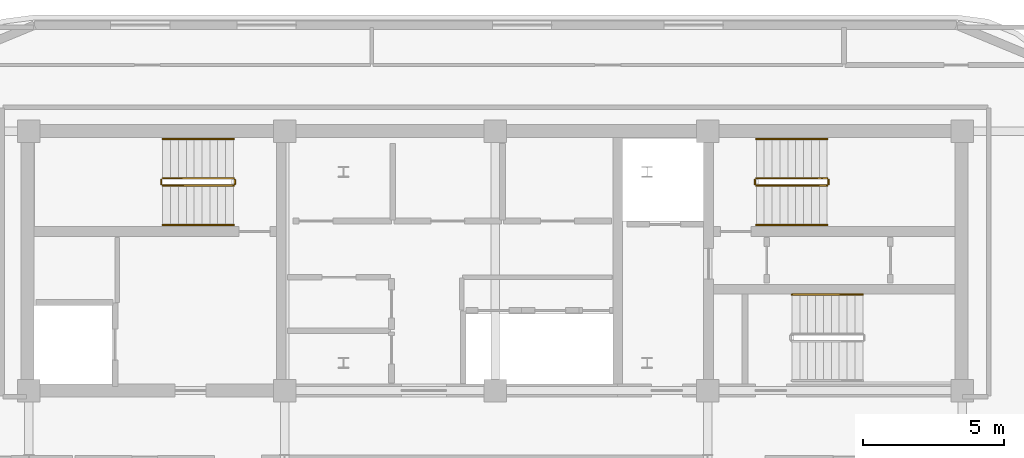
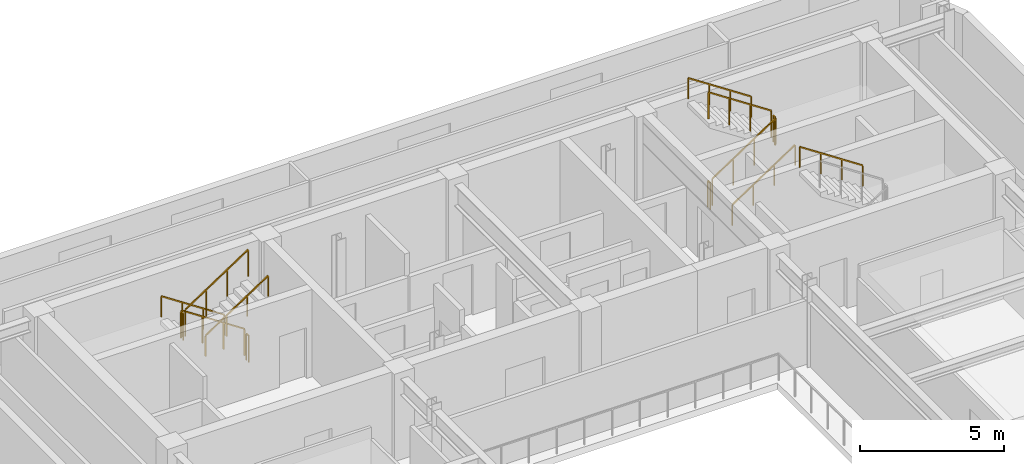
# One storey, part 12 of 12: 13 railings.
"""IFC4 building model written with IfcOpenShell, lengths in metres."""

from ifc_helpers import new_model, si_unit, direction, frame, origin, origin_2d, place, context, subcontext, project, spatial, rectangle, extrude, material, type_object, element, save


model = new_model("IFC4")

# Units and contexts
model_context = context("Model", 3, precision=1e-05, world=origin(), true_north=direction((0.0, 1.0)))
body_context = subcontext(model_context, "Body", "Model", "MODEL_VIEW")
ifc_project = project(units=[si_unit("LENGTHUNIT", "METRE"), si_unit("AREAUNIT", "SQUARE_METRE"), si_unit("VOLUMEUNIT", "CUBIC_METRE"), si_unit("PLANEANGLEUNIT", "RADIAN"), si_unit("MASSUNIT", "GRAM", prefix="KILO")], contexts=[model_context])

# Site, building, storey
site_placement = place(None, origin())
site = spatial("IfcSite", under=ifc_project, at=site_placement, CompositionType="ELEMENT")
building_placement = place(site_placement, origin())
building = spatial("IfcBuilding", under=site, at=building_placement, Name="Zarnavel Station Tower", CompositionType="ELEMENT")
storey_placement = place(building_placement, frame((0.0, 0.0, 265.800048828125)))
storey = spatial("IfcBuildingStorey", under=building, at=storey_placement, Name="L72", CompositionType="ELEMENT", Elevation=265.800048828125)

# Railings
ifc_material_1 = material(Name="Painted Steel S355J2 Balustrade", Category="steel")
railing_type_1 = type_object("IfcRailingType", Name="GR_INT_1150", PredefinedType="GUARDRAIL", material=ifc_material_1)
railing_1_placement = place(storey_placement, frame((19.47998046875, 35.3701171875, 0.18505859375)))
element("IfcRailing", 1, at=railing_1_placement, inside=storey, type_object=railing_type_1, Name="L72 ST1 stair guard 1", PredefinedType="GUARDRAIL", context=body_context, shape_type="SweptSolid", body=[
    extrude(rectangle(XDim=0.048095703125, YDim=0.048095703125, at=origin_2d()), frame((-0.001708984375, 0.0, 1.126953125), z_axis=(-0.83436851402, 0.0, 0.551207023552), x_axis=(0.0, -1.0, 0.0)), (0.0, 0.0, 1.0), 3.016357421875),
    extrude(rectangle(XDim=0.0419921875, YDim=0.0419921875, at=origin_2d()), origin(), (0.0, 0.0, 1.0), 1.101806640625),
    extrude(rectangle(XDim=0.0419921875, YDim=0.0419921875, at=origin_2d()), frame((-0.840087890625, 0.0, 0.554931640625)), (0.0, 0.0, 1.0), 1.101806640625),
    extrude(rectangle(XDim=0.0419921875, YDim=0.0419921875, at=origin_2d()), frame((-1.679931640625, 0.0, 1.10986328125)), (0.0, 0.0, 1.0), 1.101806640625),
    extrude(rectangle(XDim=0.0419921875, YDim=0.0419921875, at=origin_2d()), frame((-2.52001953125, 0.0, 1.664794921875)), (0.0, 0.0, 1.0), 1.101806640625),
])
railing_2_placement = place(storey_placement, frame((16.909912109375, 35.320068359375, 1.849853515625)))
element("IfcRailing", 2, at=railing_2_placement, inside=storey, type_object=railing_type_1, Name="L72 ST1 stair guard 2", PredefinedType="GUARDRAIL", context=body_context, shape_type="SweptSolid", body=[
    extrude(rectangle(XDim=0.048095703125, YDim=0.048095703125, at=origin_2d()), frame((0.0, -0.001953125, 1.1259765625), z_axis=(0.0, -1.0, 0.0), x_axis=(1.0, 0.0, 0.0)), (0.0, 0.0, 1.0), 0.15625),
    extrude(rectangle(XDim=0.0419921875, YDim=0.0419921875, at=origin_2d()), origin(), (0.0, 0.0, 1.0), 1.101806640625),
    extrude(rectangle(XDim=0.0419921875, YDim=0.0419921875, at=origin_2d()), frame((0.0, -0.16015625, 0.0)), (0.0, 0.0, 1.0), 1.101806640625),
])
railing_3_placement = place(storey_placement, frame((16.9599609375, 35.110107421875, 2.034912109375)))
element("IfcRailing", 3, at=railing_3_placement, inside=storey, type_object=railing_type_1, Name="L72 ST1 stair guard 3", PredefinedType="GUARDRAIL", context=body_context, shape_type="SweptSolid", body=[
    extrude(rectangle(XDim=0.048095703125, YDim=0.048095703125, at=origin_2d()), frame((0.001708984375, 0.0, 1.126953125), z_axis=(0.834331337432, 0.0, 0.55126329406), x_axis=(0.0, 1.0, 0.0)), (0.0, 0.0, 1.0), 3.016357421875),
    extrude(rectangle(XDim=0.0419921875, YDim=0.0419921875, at=origin_2d()), origin(), (0.0, 0.0, 1.0), 1.101806640625),
    extrude(rectangle(XDim=0.0419921875, YDim=0.0419921875, at=origin_2d()), frame((0.840087890625, 0.0, 0.554931640625)), (0.0, 0.0, 1.0), 1.101806640625),
    extrude(rectangle(XDim=0.0419921875, YDim=0.0419921875, at=origin_2d()), frame((1.679931640625, 0.0, 1.110107421875)), (0.0, 0.0, 1.0), 1.101806640625),
    extrude(rectangle(XDim=0.0419921875, YDim=0.0419921875, at=origin_2d()), frame((2.52001953125, 0.0, 1.6650390625)), (0.0, 0.0, 1.0), 1.101806640625),
])
railing_4_placement = place(storey_placement, frame((19.530029296875, 35.320068359375, 0.0)))
element("IfcRailing", 4, at=railing_4_placement, inside=storey, type_object=railing_type_1, Name="L72 ST1 stair guard 4", PredefinedType="GUARDRAIL", context=body_context, shape_type="SweptSolid", body=[
    extrude(rectangle(XDim=0.048095703125, YDim=0.048095703125, at=origin_2d()), frame((0.0, -0.001953125, 1.1259765625), z_axis=(0.0, -1.0, 0.0), x_axis=(1.0, 0.0, 0.0)), (0.0, 0.0, 1.0), 0.15625),
    extrude(rectangle(XDim=0.0419921875, YDim=0.0419921875, at=origin_2d()), origin(), (0.0, 0.0, 1.0), 1.101806640625),
    extrude(rectangle(XDim=0.0419921875, YDim=0.0419921875, at=origin_2d()), frame((0.0, -0.16015625, 0.0)), (0.0, 0.0, 1.0), 1.101806640625),
])
railing_5_placement = place(storey_placement, frame((38.080078125, 35.110107421875, 0.18505859375)))
element("IfcRailing", 5, at=railing_5_placement, inside=storey, type_object=railing_type_1, Name="L72 ST2 stair guard 1", PredefinedType="GUARDRAIL", context=body_context, shape_type="SweptSolid", body=[
    extrude(rectangle(XDim=0.048095703125, YDim=0.048095703125, at=origin_2d()), frame((0.001708984375, 0.0, 1.126953125), z_axis=(0.83436851402, 0.0, 0.551207023552), x_axis=(0.0, 1.0, 0.0)), (0.0, 0.0, 1.0), 3.016357421875),
    extrude(rectangle(XDim=0.0419921875, YDim=0.0419921875, at=origin_2d()), origin(), (0.0, 0.0, 1.0), 1.101806640625),
    extrude(rectangle(XDim=0.0419921875, YDim=0.0419921875, at=origin_2d()), frame((0.840087890625, 0.0, 0.554931640625)), (0.0, 0.0, 1.0), 1.101806640625),
    extrude(rectangle(XDim=0.0419921875, YDim=0.0419921875, at=origin_2d()), frame((1.679931640625, 0.0, 1.10986328125)), (0.0, 0.0, 1.0), 1.101806640625),
    extrude(rectangle(XDim=0.0419921875, YDim=0.0419921875, at=origin_2d()), frame((2.52001953125, 0.0, 1.664794921875)), (0.0, 0.0, 1.0), 1.101806640625),
])
railing_6_placement = place(storey_placement, frame((40.64990234375, 35.159912109375, 1.849853515625)))
element("IfcRailing", 6, at=railing_6_placement, inside=storey, type_object=railing_type_1, Name="L72 ST2 stair guard 2", PredefinedType="GUARDRAIL", context=body_context, shape_type="SweptSolid", body=[
    extrude(rectangle(XDim=0.048095703125, YDim=0.048095703125, at=origin_2d()), frame((0.0, 0.001953125, 1.1259765625), z_axis=(0.0, 1.0, 0.0), x_axis=(-1.0, 0.0, 0.0)), (0.0, 0.0, 1.0), 0.15625),
    extrude(rectangle(XDim=0.0419921875, YDim=0.0419921875, at=origin_2d()), origin(), (0.0, 0.0, 1.0), 1.101806640625),
    extrude(rectangle(XDim=0.0419921875, YDim=0.0419921875, at=origin_2d()), frame((0.0, 0.16015625, 0.0)), (0.0, 0.0, 1.0), 1.101806640625),
])
railing_7_placement = place(storey_placement, frame((40.60009765625, 35.3701171875, 2.034912109375)))
element("IfcRailing", 7, at=railing_7_placement, inside=storey, type_object=railing_type_1, Name="L72 ST2 stair guard 3", PredefinedType="GUARDRAIL", context=body_context, shape_type="SweptSolid", body=[
    extrude(rectangle(XDim=0.048095703125, YDim=0.048095703125, at=origin_2d()), frame((-0.001708984375, 0.0, 1.126953125), z_axis=(-0.834331337432, 0.0, 0.55126329406), x_axis=(0.0, -1.0, 0.0)), (0.0, 0.0, 1.0), 3.016357421875),
    extrude(rectangle(XDim=0.0419921875, YDim=0.0419921875, at=origin_2d()), origin(), (0.0, 0.0, 1.0), 1.101806640625),
    extrude(rectangle(XDim=0.0419921875, YDim=0.0419921875, at=origin_2d()), frame((-0.840087890625, 0.0, 0.554931640625)), (0.0, 0.0, 1.0), 1.101806640625),
    extrude(rectangle(XDim=0.0419921875, YDim=0.0419921875, at=origin_2d()), frame((-1.679931640625, 0.0, 1.110107421875)), (0.0, 0.0, 1.0), 1.101806640625),
    extrude(rectangle(XDim=0.0419921875, YDim=0.0419921875, at=origin_2d()), frame((-2.52001953125, 0.0, 1.6650390625)), (0.0, 0.0, 1.0), 1.101806640625),
])
railing_8_placement = place(storey_placement, frame((38.030029296875, 35.159912109375, 0.0)))
element("IfcRailing", 8, at=railing_8_placement, inside=storey, type_object=railing_type_1, Name="L72 ST2 stair guard 4", PredefinedType="GUARDRAIL", context=body_context, shape_type="SweptSolid", body=[
    extrude(rectangle(XDim=0.048095703125, YDim=0.048095703125, at=origin_2d()), frame((0.0, 0.001953125, 1.1259765625), z_axis=(0.0, 1.0, 0.0), x_axis=(-1.0, 0.0, 0.0)), (0.0, 0.0, 1.0), 0.15625),
    extrude(rectangle(XDim=0.0419921875, YDim=0.0419921875, at=origin_2d()), origin(), (0.0, 0.0, 1.0), 1.101806640625),
    extrude(rectangle(XDim=0.0419921875, YDim=0.0419921875, at=origin_2d()), frame((0.0, 0.16015625, 0.0)), (0.0, 0.0, 1.0), 1.101806640625),
])
ifc_material_2 = material(Name="Brushed Stainless Steel S355J2 Handrail", Category="steel")
railing_type_2 = type_object("IfcRailingType", Name="HR_STAIR_900", PredefinedType="HANDRAIL", material=ifc_material_2)
railing_9_placement = place(storey_placement, frame((19.47998046875, 36.77001953125, 0.18505859375)))
element("IfcRailing", 9, at=railing_9_placement, inside=storey, type_object=railing_type_2, Name="L72 ST1 stair handrail 1", PredefinedType="HANDRAIL", context=body_context, shape_type="SweptSolid", body=[
    extrude(rectangle(XDim=0.048095703125, YDim=0.048095703125, at=origin_2d()), frame((-0.001708984375, 0.0, 0.876953125), z_axis=(-0.83436851402, 0.0, 0.551207023552), x_axis=(0.0, -1.0, 0.0)), (0.0, 0.0, 1.0), 3.016357421875),
    extrude(rectangle(XDim=0.0419921875, YDim=0.0419921875, at=origin_2d()), origin(), (0.0, 0.0, 1.0), 0.851806640625),
    extrude(rectangle(XDim=0.0419921875, YDim=0.0419921875, at=origin_2d()), frame((-0.840087890625, 0.0, 0.554931640625)), (0.0, 0.0, 1.0), 0.851806640625),
    extrude(rectangle(XDim=0.0419921875, YDim=0.0419921875, at=origin_2d()), frame((-1.679931640625, 0.0, 1.10986328125)), (0.0, 0.0, 1.0), 0.851806640625),
    extrude(rectangle(XDim=0.0419921875, YDim=0.0419921875, at=origin_2d()), frame((-2.52001953125, 0.0, 1.664794921875)), (0.0, 0.0, 1.0), 0.851806640625),
])
railing_10_placement = place(storey_placement, frame((16.9599609375, 33.7099609375, 2.034912109375)))
element("IfcRailing", 10, at=railing_10_placement, inside=storey, type_object=railing_type_2, Name="L72 ST1 stair handrail 2", PredefinedType="HANDRAIL", context=body_context, shape_type="SweptSolid", body=[
    extrude(rectangle(XDim=0.048095703125, YDim=0.048095703125, at=origin_2d()), frame((0.001708984375, 0.0, 0.876953125), z_axis=(0.834331337432, 0.0, 0.55126329406), x_axis=(0.0, 1.0, 0.0)), (0.0, 0.0, 1.0), 3.016357421875),
    extrude(rectangle(XDim=0.0419921875, YDim=0.0419921875, at=origin_2d()), origin(), (0.0, 0.0, 1.0), 0.851806640625),
    extrude(rectangle(XDim=0.0419921875, YDim=0.0419921875, at=origin_2d()), frame((0.840087890625, 0.0, 0.554931640625)), (0.0, 0.0, 1.0), 0.851806640625),
    extrude(rectangle(XDim=0.0419921875, YDim=0.0419921875, at=origin_2d()), frame((1.679931640625, 0.0, 1.110107421875)), (0.0, 0.0, 1.0), 0.851806640625),
    extrude(rectangle(XDim=0.0419921875, YDim=0.0419921875, at=origin_2d()), frame((2.52001953125, 0.0, 1.6650390625)), (0.0, 0.0, 1.0), 0.851806640625),
])
railing_11_placement = place(storey_placement, frame((38.080078125, 33.7099609375, 0.18505859375)))
element("IfcRailing", 11, at=railing_11_placement, inside=storey, type_object=railing_type_2, Name="L72 ST2 stair handrail 1", PredefinedType="HANDRAIL", context=body_context, shape_type="SweptSolid", body=[
    extrude(rectangle(XDim=0.048095703125, YDim=0.048095703125, at=origin_2d()), frame((0.001708984375, 0.0, 0.876953125), z_axis=(0.83436851402, 0.0, 0.551207023552), x_axis=(0.0, 1.0, 0.0)), (0.0, 0.0, 1.0), 3.016357421875),
    extrude(rectangle(XDim=0.0419921875, YDim=0.0419921875, at=origin_2d()), origin(), (0.0, 0.0, 1.0), 0.851806640625),
    extrude(rectangle(XDim=0.0419921875, YDim=0.0419921875, at=origin_2d()), frame((0.840087890625, 0.0, 0.554931640625)), (0.0, 0.0, 1.0), 0.851806640625),
    extrude(rectangle(XDim=0.0419921875, YDim=0.0419921875, at=origin_2d()), frame((1.679931640625, 0.0, 1.10986328125)), (0.0, 0.0, 1.0), 0.851806640625),
    extrude(rectangle(XDim=0.0419921875, YDim=0.0419921875, at=origin_2d()), frame((2.52001953125, 0.0, 1.664794921875)), (0.0, 0.0, 1.0), 0.851806640625),
])
for number, where, name in (
    (12, (40.60009765625, 36.77001953125, 2.034912109375), "L72 ST2 stair handrail 2"),
    (13, (41.8701171875, 31.22998046875, 2.034912109375), "L72 ST3 stair handrail 2"),
):
    element("IfcRailing", number, at=place(storey_placement, frame(where)), inside=storey, type_object=railing_type_2, Name=name, PredefinedType="HANDRAIL", context=body_context, shape_type="SweptSolid", body=[
        extrude(rectangle(XDim=0.048095703125, YDim=0.048095703125, at=origin_2d()), frame((-0.001708984375, 0.0, 0.876953125), z_axis=(-0.834331337432, 0.0, 0.55126329406), x_axis=(0.0, -1.0, 0.0)), (0.0, 0.0, 1.0), 3.016357421875),
        extrude(rectangle(XDim=0.0419921875, YDim=0.0419921875, at=origin_2d()), origin(), (0.0, 0.0, 1.0), 0.851806640625),
        extrude(rectangle(XDim=0.0419921875, YDim=0.0419921875, at=origin_2d()), frame((-0.840087890625, 0.0, 0.554931640625)), (0.0, 0.0, 1.0), 0.851806640625),
        extrude(rectangle(XDim=0.0419921875, YDim=0.0419921875, at=origin_2d()), frame((-1.679931640625, 0.0, 1.110107421875)), (0.0, 0.0, 1.0), 0.851806640625),
        extrude(rectangle(XDim=0.0419921875, YDim=0.0419921875, at=origin_2d()), frame((-2.52001953125, 0.0, 1.6650390625)), (0.0, 0.0, 1.0), 0.851806640625),
    ])

save(model, "model.ifc")
